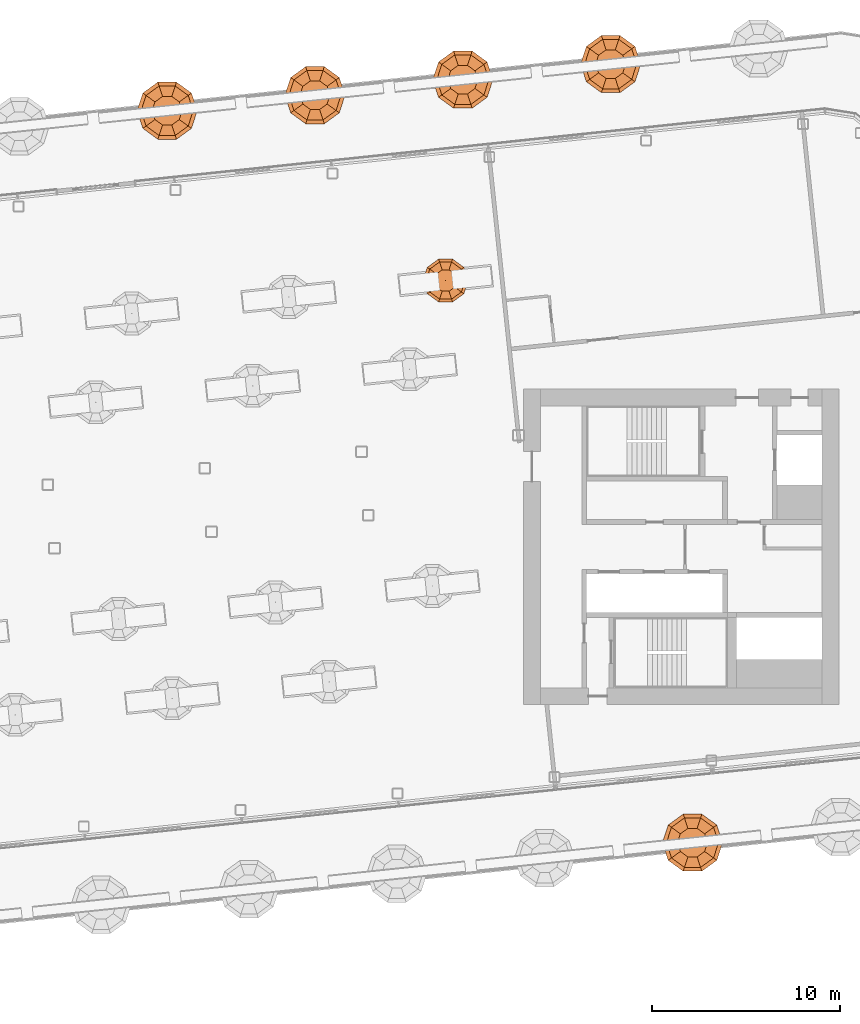
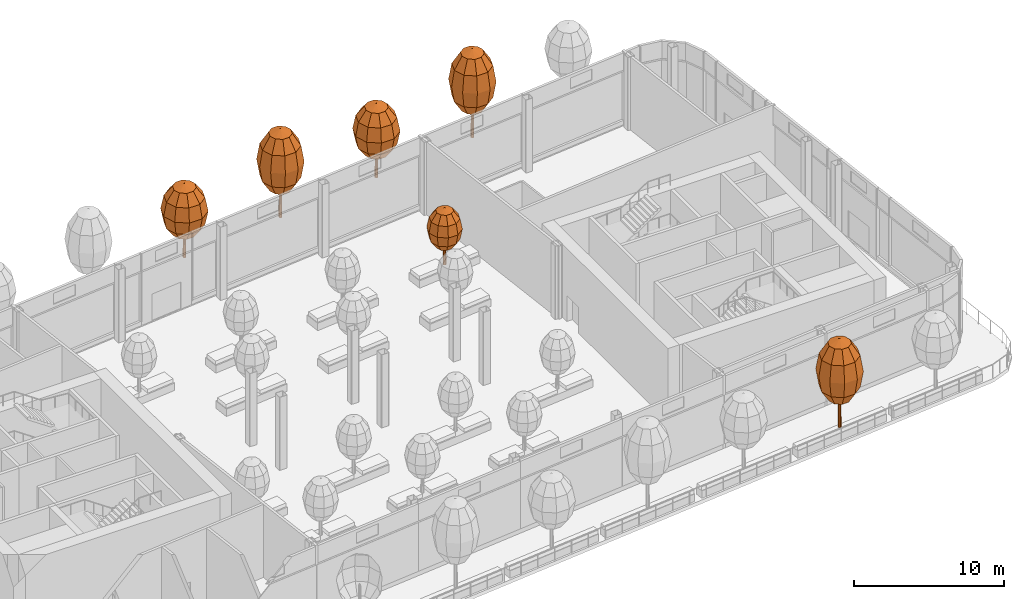
# One storey, part 41 of 42: 6 geographic elements.
"""IFC4 building model written with IfcOpenShell, lengths in metres."""

from ifc_helpers import new_model, si_unit, direction, frame, origin, place, context, subcontext, project, spatial, triangles, material, type_object, element, save


model = new_model("IFC4")

# Units and contexts
model_context = context("Model", 3, precision=1e-05, world=origin(), true_north=direction((0.0, 1.0)))
body_context = subcontext(model_context, "Body", "Model", "MODEL_VIEW")
ifc_project = project(units=[si_unit("LENGTHUNIT", "METRE"), si_unit("AREAUNIT", "SQUARE_METRE"), si_unit("VOLUMEUNIT", "CUBIC_METRE"), si_unit("PLANEANGLEUNIT", "RADIAN"), si_unit("MASSUNIT", "GRAM", prefix="KILO")], contexts=[model_context])

# Site, building, storey
site_placement = place(None, origin())
site = spatial("IfcSite", under=ifc_project, at=site_placement, CompositionType="ELEMENT")
building_placement = place(site_placement, origin())
building = spatial("IfcBuilding", under=site, at=building_placement, Name="Hakoniwa Tower and Hamabe Station Hall", CompositionType="ELEMENT")
storey_placement = place(building_placement, frame((0.0, 0.0, 232.60009765625)))
storey = spatial("IfcBuildingStorey", under=building, at=storey_placement, Name="L66", CompositionType="ELEMENT", Elevation=232.60009765625)

# Geographic elements
ifc_material_1 = material(Name="Tree foliage")
geographic_element_type_1 = type_object("IfcGeographicElementType", Name="Camellia 4.6 m", PredefinedType="USERDEFINED", material=ifc_material_1)
geographic_element_1_placement = place(storey_placement, frame((12.647705078125, 14.18603515625, 0.599853515625)))
element("IfcGeographicElement", 1, at=geographic_element_1_placement, inside=storey, type_object=geographic_element_type_1, Name="Camellia 4-6 m", ObjectType="TREE", PredefinedType="USERDEFINED", context=body_context, shape_type="Tessellation", body=[
    triangles([(0.125, 0.0, 0.0), (0.08837890625, 0.08837890625, 0.0), (0.0, 0.125, 0.0), (-0.08837890625, 0.08837890625, 0.0), (-0.125, 0.0, 0.0), (-0.08837890625, -0.08837890625, 0.0), (0.0, -0.125, 0.0), (0.08837890625, -0.08837890625, 0.0), (0.074951171875, 0.0, 2.778564453125), (0.052978515625, 0.052978515625, 2.778564453125), (0.0, 0.074951171875, 2.778564453125), (-0.052978515625, 0.052978515625, 2.778564453125), (-0.074951171875, 0.0, 2.778564453125), (-0.052978515625, -0.052978515625, 2.778564453125), (0.0, -0.074951171875, 2.778564453125), (0.052978515625, -0.052978515625, 2.778564453125), (0.0, 0.0, 0.0), (0.0, 0.0, 2.778564453125)], [[1, 2, 10], [1, 10, 9], [17, 2, 1], [18, 9, 10], [2, 3, 11], [2, 11, 10], [17, 3, 2], [18, 10, 11], [3, 4, 12], [3, 12, 11], [17, 4, 3], [18, 11, 12], [4, 5, 13], [4, 13, 12], [17, 5, 4], [18, 12, 13], [5, 6, 14], [5, 14, 13], [17, 6, 5], [18, 13, 14], [6, 7, 15], [6, 15, 14], [17, 7, 6], [18, 14, 15], [7, 8, 16], [7, 16, 15], [17, 8, 7], [18, 15, 16], [8, 1, 9], [8, 9, 16], [17, 1, 8], [18, 16, 9]], closed=True),
    triangles([(0.0, 0.0, 1.2880859375), (0.599853515625, 0.0, 1.510009765625), (0.4853515625, 0.3525390625, 1.510009765625), (0.185302734375, 0.570556640625, 1.510009765625), (-0.185302734375, 0.570556640625, 1.510009765625), (-0.4853515625, 0.3525390625, 1.510009765625), (-0.599853515625, 0.0, 1.510009765625), (-0.4853515625, -0.3525390625, 1.510009765625), (-0.185302734375, -0.570556640625, 1.510009765625), (0.185302734375, -0.570556640625, 1.510009765625), (0.4853515625, -0.3525390625, 1.510009765625), (1.039306640625, 0.0, 2.115966796875), (0.8408203125, 0.61083984375, 2.115966796875), (0.321044921875, 0.98828125, 2.115966796875), (-0.321044921875, 0.98828125, 2.115966796875), (-0.8408203125, 0.61083984375, 2.115966796875), (-1.039306640625, 0.0, 2.115966796875), (-0.8408203125, -0.61083984375, 2.115966796875), (-0.321044921875, -0.98828125, 2.115966796875), (0.321044921875, -0.98828125, 2.115966796875), (0.8408203125, -0.61083984375, 2.115966796875), (1.199951171875, 0.0, 2.944091796875), (0.970703125, 0.705322265625, 2.944091796875), (0.370849609375, 1.14111328125, 2.944091796875), (-0.370849609375, 1.14111328125, 2.944091796875), (-0.970703125, 0.705322265625, 2.944091796875), (-1.199951171875, 0.0, 2.944091796875), (-0.970703125, -0.705322265625, 2.944091796875), (-0.370849609375, -1.14111328125, 2.944091796875), (0.370849609375, -1.14111328125, 2.944091796875), (0.970703125, -0.705322265625, 2.944091796875), (1.039306640625, 0.0, 3.77197265625), (0.8408203125, 0.61083984375, 3.77197265625), (0.321044921875, 0.98828125, 3.77197265625), (-0.321044921875, 0.98828125, 3.77197265625), (-0.8408203125, 0.61083984375, 3.77197265625), (-1.039306640625, 0.0, 3.77197265625), (-0.8408203125, -0.61083984375, 3.77197265625), (-0.321044921875, -0.98828125, 3.77197265625), (0.321044921875, -0.98828125, 3.77197265625), (0.8408203125, -0.61083984375, 3.77197265625), (0.599853515625, 0.0, 4.378173828125), (0.4853515625, 0.3525390625, 4.378173828125), (0.185302734375, 0.570556640625, 4.378173828125), (-0.185302734375, 0.570556640625, 4.378173828125), (-0.4853515625, 0.3525390625, 4.378173828125), (-0.599853515625, 0.0, 4.378173828125), (-0.4853515625, -0.3525390625, 4.378173828125), (-0.185302734375, -0.570556640625, 4.378173828125), (0.185302734375, -0.570556640625, 4.378173828125), (0.4853515625, -0.3525390625, 4.378173828125), (0.0, 0.0, 4.60009765625)], [[1, 3, 2], [1, 4, 3], [1, 5, 4], [1, 6, 5], [1, 7, 6], [1, 8, 7], [1, 9, 8], [1, 10, 9], [1, 11, 10], [1, 2, 11], [2, 3, 13], [2, 13, 12], [3, 4, 14], [3, 14, 13], [4, 5, 15], [4, 15, 14], [5, 6, 16], [5, 16, 15], [6, 7, 17], [6, 17, 16], [7, 8, 18], [7, 18, 17], [8, 9, 19], [8, 19, 18], [9, 10, 20], [9, 20, 19], [10, 11, 21], [10, 21, 20], [11, 2, 12], [11, 12, 21], [12, 13, 23], [12, 23, 22], [13, 14, 24], [13, 24, 23], [14, 15, 25], [14, 25, 24], [15, 16, 26], [15, 26, 25], [16, 17, 27], [16, 27, 26], [17, 18, 28], [17, 28, 27], [18, 19, 29], [18, 29, 28], [19, 20, 30], [19, 30, 29], [20, 21, 31], [20, 31, 30], [21, 12, 22], [21, 22, 31], [22, 23, 33], [22, 33, 32], [23, 24, 34], [23, 34, 33], [24, 25, 35], [24, 35, 34], [25, 26, 36], [25, 36, 35], [26, 27, 37], [26, 37, 36], [27, 28, 38], [27, 38, 37], [28, 29, 39], [28, 39, 38], [29, 30, 40], [29, 40, 39], [30, 31, 41], [30, 41, 40], [31, 22, 32], [31, 32, 41], [32, 33, 43], [32, 43, 42], [33, 34, 44], [33, 44, 43], [34, 35, 45], [34, 45, 44], [35, 36, 46], [35, 46, 45], [36, 37, 47], [36, 47, 46], [37, 38, 48], [37, 48, 47], [38, 39, 49], [38, 49, 48], [39, 40, 50], [39, 50, 49], [40, 41, 51], [40, 51, 50], [41, 32, 42], [41, 42, 51], [52, 42, 43], [52, 43, 44], [52, 44, 45], [52, 45, 46], [52, 46, 47], [52, 47, 48], [52, 48, 49], [52, 49, 50], [52, 50, 51], [52, 51, 42]], closed=True),
])
ifc_material_2 = material(Name="Tree foliage")
geographic_element_type_2 = type_object("IfcGeographicElementType", Name="Japanese maple 7.2 m", PredefinedType="USERDEFINED", material=ifc_material_2)
geographic_element_2_placement = place(storey_placement, frame((21.439208984375, 25.70947265625, 0.89990234375)))
element("IfcGeographicElement", 2, at=geographic_element_2_placement, inside=storey, type_object=geographic_element_type_2, Name="Japanese maple 7-2 m", ObjectType="TREE", PredefinedType="USERDEFINED", context=body_context, shape_type="Tessellation", body=[
    triangles([(0.125, 0.0, 0.0), (0.08837890625, 0.08837890625, 0.0), (0.0, 0.125, 0.0), (-0.08837890625, 0.08837890625, 0.0), (-0.125, 0.0, 0.0), (-0.08837890625, -0.08837890625, 0.0), (0.0, -0.125, 0.0), (0.08837890625, -0.08837890625, 0.0), (0.074951171875, 0.0, 4.348876953125), (0.052978515625, 0.052978515625, 4.348876953125), (0.0, 0.074951171875, 4.348876953125), (-0.052978515625, 0.052978515625, 4.348876953125), (-0.074951171875, 0.0, 4.348876953125), (-0.052978515625, -0.052978515625, 4.348876953125), (0.0, -0.074951171875, 4.348876953125), (0.052978515625, -0.052978515625, 4.348876953125), (0.0, 0.0, 0.0), (0.0, 0.0, 4.348876953125)], [[1, 2, 10], [1, 10, 9], [17, 2, 1], [18, 9, 10], [2, 3, 11], [2, 11, 10], [17, 3, 2], [18, 10, 11], [3, 4, 12], [3, 12, 11], [17, 4, 3], [18, 11, 12], [4, 5, 13], [4, 13, 12], [17, 5, 4], [18, 12, 13], [5, 6, 14], [5, 14, 13], [17, 6, 5], [18, 13, 14], [6, 7, 15], [6, 15, 14], [17, 7, 6], [18, 14, 15], [7, 8, 16], [7, 16, 15], [17, 8, 7], [18, 15, 16], [8, 1, 9], [8, 9, 16], [17, 1, 8], [18, 16, 9]], closed=True),
    triangles([(0.0, 0.0, 2.015869140625), (0.800048828125, 0.0, 2.36328125), (0.647216796875, 0.47021484375, 2.36328125), (0.247314453125, 0.7607421875, 2.36328125), (-0.247314453125, 0.7607421875, 2.36328125), (-0.647216796875, 0.47021484375, 2.36328125), (-0.800048828125, 0.0, 2.36328125), (-0.647216796875, -0.47021484375, 2.36328125), (-0.247314453125, -0.7607421875, 2.36328125), (0.247314453125, -0.7607421875, 2.36328125), (0.647216796875, -0.47021484375, 2.36328125), (1.385498046875, 0.0, 3.31201171875), (1.12109375, 0.814453125, 3.31201171875), (0.42822265625, 1.31787109375, 3.31201171875), (-0.42822265625, 1.31787109375, 3.31201171875), (-1.12109375, 0.814453125, 3.31201171875), (-1.385498046875, 0.0, 3.31201171875), (-1.12109375, -0.814453125, 3.31201171875), (-0.42822265625, -1.31787109375, 3.31201171875), (0.42822265625, -1.31787109375, 3.31201171875), (1.12109375, -0.814453125, 3.31201171875), (1.60009765625, 0.0, 4.60791015625), (1.29443359375, 0.9404296875, 4.60791015625), (0.494384765625, 1.521728515625, 4.60791015625), (-0.494384765625, 1.521728515625, 4.60791015625), (-1.29443359375, 0.9404296875, 4.60791015625), (-1.60009765625, 0.0, 4.60791015625), (-1.29443359375, -0.9404296875, 4.60791015625), (-0.494384765625, -1.521728515625, 4.60791015625), (0.494384765625, -1.521728515625, 4.60791015625), (1.29443359375, -0.9404296875, 4.60791015625), (1.385498046875, 0.0, 5.904052734375), (1.12109375, 0.814453125, 5.904052734375), (0.42822265625, 1.31787109375, 5.904052734375), (-0.42822265625, 1.31787109375, 5.904052734375), (-1.12109375, 0.814453125, 5.904052734375), (-1.385498046875, 0.0, 5.904052734375), (-1.12109375, -0.814453125, 5.904052734375), (-0.42822265625, -1.31787109375, 5.904052734375), (0.42822265625, -1.31787109375, 5.904052734375), (1.12109375, -0.814453125, 5.904052734375), (0.800048828125, 0.0, 6.852783203125), (0.647216796875, 0.47021484375, 6.852783203125), (0.247314453125, 0.7607421875, 6.852783203125), (-0.247314453125, 0.7607421875, 6.852783203125), (-0.647216796875, 0.47021484375, 6.852783203125), (-0.800048828125, 0.0, 6.852783203125), (-0.647216796875, -0.47021484375, 6.852783203125), (-0.247314453125, -0.7607421875, 6.852783203125), (0.247314453125, -0.7607421875, 6.852783203125), (0.647216796875, -0.47021484375, 6.852783203125), (0.0, 0.0, 7.199951171875)], [[1, 3, 2], [1, 4, 3], [1, 5, 4], [1, 6, 5], [1, 7, 6], [1, 8, 7], [1, 9, 8], [1, 10, 9], [1, 11, 10], [1, 2, 11], [2, 3, 13], [2, 13, 12], [3, 4, 14], [3, 14, 13], [4, 5, 15], [4, 15, 14], [5, 6, 16], [5, 16, 15], [6, 7, 17], [6, 17, 16], [7, 8, 18], [7, 18, 17], [8, 9, 19], [8, 19, 18], [9, 10, 20], [9, 20, 19], [10, 11, 21], [10, 21, 20], [11, 2, 12], [11, 12, 21], [12, 13, 23], [12, 23, 22], [13, 14, 24], [13, 24, 23], [14, 15, 25], [14, 25, 24], [15, 16, 26], [15, 26, 25], [16, 17, 27], [16, 27, 26], [17, 18, 28], [17, 28, 27], [18, 19, 29], [18, 29, 28], [19, 20, 30], [19, 30, 29], [20, 21, 31], [20, 31, 30], [21, 12, 22], [21, 22, 31], [22, 23, 33], [22, 33, 32], [23, 24, 34], [23, 34, 33], [24, 25, 35], [24, 35, 34], [25, 26, 36], [25, 36, 35], [26, 27, 37], [26, 37, 36], [27, 28, 38], [27, 38, 37], [28, 29, 39], [28, 39, 38], [29, 30, 40], [29, 40, 39], [30, 31, 41], [30, 41, 40], [31, 22, 32], [31, 32, 41], [32, 33, 43], [32, 43, 42], [33, 34, 44], [33, 44, 43], [34, 35, 45], [34, 45, 44], [35, 36, 46], [35, 46, 45], [36, 37, 47], [36, 47, 46], [37, 38, 48], [37, 48, 47], [38, 39, 49], [38, 49, 48], [39, 40, 50], [39, 50, 49], [40, 41, 51], [40, 51, 50], [41, 32, 42], [41, 42, 51], [52, 42, 43], [52, 43, 44], [52, 44, 45], [52, 45, 46], [52, 46, 47], [52, 47, 48], [52, 48, 49], [52, 49, 50], [52, 50, 51], [52, 51, 42]], closed=True),
])
geographic_element_3_placement = place(storey_placement, frame((5.694091796875, 24.0546875, 0.89990234375)))
element("IfcGeographicElement", 3, at=geographic_element_3_placement, inside=storey, type_object=geographic_element_type_2, Name="Japanese maple 7-2 m", ObjectType="TREE", PredefinedType="USERDEFINED", context=body_context, shape_type="Tessellation", body=[
    triangles([(0.125, 0.0, 0.0), (0.08837890625, 0.08837890625, 0.0), (0.0, 0.125, 0.0), (-0.08837890625, 0.08837890625, 0.0), (-0.125, 0.0, 0.0), (-0.08837890625, -0.08837890625, 0.0), (0.0, -0.125, 0.0), (0.08837890625, -0.08837890625, 0.0), (0.074951171875, 0.0, 4.348876953125), (0.052978515625, 0.052978515625, 4.348876953125), (0.0, 0.074951171875, 4.348876953125), (-0.052978515625, 0.052978515625, 4.348876953125), (-0.074951171875, 0.0, 4.348876953125), (-0.052978515625, -0.052978515625, 4.348876953125), (0.0, -0.074951171875, 4.348876953125), (0.052978515625, -0.052978515625, 4.348876953125), (0.0, 0.0, 0.0), (0.0, 0.0, 4.348876953125)], [[1, 2, 10], [1, 10, 9], [17, 2, 1], [18, 9, 10], [2, 3, 11], [2, 11, 10], [17, 3, 2], [18, 10, 11], [3, 4, 12], [3, 12, 11], [17, 4, 3], [18, 11, 12], [4, 5, 13], [4, 13, 12], [17, 5, 4], [18, 12, 13], [5, 6, 14], [5, 14, 13], [17, 6, 5], [18, 13, 14], [6, 7, 15], [6, 15, 14], [17, 7, 6], [18, 14, 15], [7, 8, 16], [7, 16, 15], [17, 8, 7], [18, 15, 16], [8, 1, 9], [8, 9, 16], [17, 1, 8], [18, 16, 9]], closed=True),
    triangles([(0.0, 0.0, 2.015869140625), (0.800048828125, 0.0, 2.36328125), (0.647216796875, 0.47021484375, 2.36328125), (0.247314453125, 0.7607421875, 2.36328125), (-0.247314453125, 0.7607421875, 2.36328125), (-0.647216796875, 0.47021484375, 2.36328125), (-0.800048828125, 0.0, 2.36328125), (-0.647216796875, -0.47021484375, 2.36328125), (-0.247314453125, -0.7607421875, 2.36328125), (0.247314453125, -0.7607421875, 2.36328125), (0.647216796875, -0.47021484375, 2.36328125), (1.385498046875, 0.0, 3.31201171875), (1.12109375, 0.814453125, 3.31201171875), (0.42822265625, 1.31787109375, 3.31201171875), (-0.42822265625, 1.31787109375, 3.31201171875), (-1.12109375, 0.814453125, 3.31201171875), (-1.385498046875, 0.0, 3.31201171875), (-1.12109375, -0.814453125, 3.31201171875), (-0.42822265625, -1.31787109375, 3.31201171875), (0.42822265625, -1.31787109375, 3.31201171875), (1.12109375, -0.814453125, 3.31201171875), (1.60009765625, 0.0, 4.60791015625), (1.29443359375, 0.9404296875, 4.60791015625), (0.494384765625, 1.521728515625, 4.60791015625), (-0.494384765625, 1.521728515625, 4.60791015625), (-1.29443359375, 0.9404296875, 4.60791015625), (-1.60009765625, 0.0, 4.60791015625), (-1.29443359375, -0.9404296875, 4.60791015625), (-0.494384765625, -1.521728515625, 4.60791015625), (0.494384765625, -1.521728515625, 4.60791015625), (1.29443359375, -0.9404296875, 4.60791015625), (1.385498046875, 0.0, 5.904052734375), (1.12109375, 0.814453125, 5.904052734375), (0.42822265625, 1.31787109375, 5.904052734375), (-0.42822265625, 1.31787109375, 5.904052734375), (-1.12109375, 0.814453125, 5.904052734375), (-1.385498046875, 0.0, 5.904052734375), (-1.12109375, -0.814453125, 5.904052734375), (-0.42822265625, -1.31787109375, 5.904052734375), (0.42822265625, -1.31787109375, 5.904052734375), (1.12109375, -0.814453125, 5.904052734375), (0.800048828125, 0.0, 6.852783203125), (0.647216796875, 0.47021484375, 6.852783203125), (0.247314453125, 0.7607421875, 6.852783203125), (-0.247314453125, 0.7607421875, 6.852783203125), (-0.647216796875, 0.47021484375, 6.852783203125), (-0.800048828125, 0.0, 6.852783203125), (-0.647216796875, -0.47021484375, 6.852783203125), (-0.247314453125, -0.7607421875, 6.852783203125), (0.247314453125, -0.7607421875, 6.852783203125), (0.647216796875, -0.47021484375, 6.852783203125), (0.0, 0.0, 7.199951171875)], [[1, 3, 2], [1, 4, 3], [1, 5, 4], [1, 6, 5], [1, 7, 6], [1, 8, 7], [1, 9, 8], [1, 10, 9], [1, 11, 10], [1, 2, 11], [2, 3, 13], [2, 13, 12], [3, 4, 14], [3, 14, 13], [4, 5, 15], [4, 15, 14], [5, 6, 16], [5, 16, 15], [6, 7, 17], [6, 17, 16], [7, 8, 18], [7, 18, 17], [8, 9, 19], [8, 19, 18], [9, 10, 20], [9, 20, 19], [10, 11, 21], [10, 21, 20], [11, 2, 12], [11, 12, 21], [12, 13, 23], [12, 23, 22], [13, 14, 24], [13, 24, 23], [14, 15, 25], [14, 25, 24], [15, 16, 26], [15, 26, 25], [16, 17, 27], [16, 27, 26], [17, 18, 28], [17, 28, 27], [18, 19, 29], [18, 29, 28], [19, 20, 30], [19, 30, 29], [20, 21, 31], [20, 31, 30], [21, 12, 22], [21, 22, 31], [22, 23, 33], [22, 33, 32], [23, 24, 34], [23, 34, 33], [24, 25, 35], [24, 35, 34], [25, 26, 36], [25, 36, 35], [26, 27, 37], [26, 37, 36], [27, 28, 38], [27, 38, 37], [28, 29, 39], [28, 39, 38], [29, 30, 40], [29, 40, 39], [30, 31, 41], [30, 41, 40], [31, 22, 32], [31, 32, 41], [32, 33, 43], [32, 43, 42], [33, 34, 44], [33, 44, 43], [34, 35, 45], [34, 45, 44], [35, 36, 46], [35, 46, 45], [36, 37, 47], [36, 47, 46], [37, 38, 48], [37, 48, 47], [38, 39, 49], [38, 49, 48], [39, 40, 50], [39, 50, 49], [40, 41, 51], [40, 51, 50], [41, 32, 42], [41, 42, 51], [52, 42, 43], [52, 43, 44], [52, 44, 45], [52, 45, 46], [52, 46, 47], [52, 47, 48], [52, 48, 49], [52, 49, 50], [52, 50, 51], [52, 51, 42]], closed=True),
])
geographic_element_4_placement = place(storey_placement, frame((25.796142578125, -15.744873046875, 0.89990234375)))
element("IfcGeographicElement", 4, at=geographic_element_4_placement, inside=storey, type_object=geographic_element_type_2, Name="Japanese maple 7-2 m", ObjectType="TREE", PredefinedType="USERDEFINED", context=body_context, shape_type="Tessellation", body=[
    triangles([(0.125, 0.0, 0.0), (0.08837890625, 0.08837890625, 0.0), (0.0, 0.125, 0.0), (-0.08837890625, 0.08837890625, 0.0), (-0.125, 0.0, 0.0), (-0.08837890625, -0.08837890625, 0.0), (0.0, -0.125, 0.0), (0.08837890625, -0.08837890625, 0.0), (0.074951171875, 0.0, 4.348876953125), (0.052978515625, 0.052978515625, 4.348876953125), (0.0, 0.074951171875, 4.348876953125), (-0.052978515625, 0.052978515625, 4.348876953125), (-0.074951171875, 0.0, 4.348876953125), (-0.052978515625, -0.052978515625, 4.348876953125), (0.0, -0.074951171875, 4.348876953125), (0.052978515625, -0.052978515625, 4.348876953125), (0.0, 0.0, 0.0), (0.0, 0.0, 4.348876953125)], [[1, 2, 10], [1, 10, 9], [17, 2, 1], [18, 9, 10], [2, 3, 11], [2, 11, 10], [17, 3, 2], [18, 10, 11], [3, 4, 12], [3, 12, 11], [17, 4, 3], [18, 11, 12], [4, 5, 13], [4, 13, 12], [17, 5, 4], [18, 12, 13], [5, 6, 14], [5, 14, 13], [17, 6, 5], [18, 13, 14], [6, 7, 15], [6, 15, 14], [17, 7, 6], [18, 14, 15], [7, 8, 16], [7, 16, 15], [17, 8, 7], [18, 15, 16], [8, 1, 9], [8, 9, 16], [17, 1, 8], [18, 16, 9]], closed=True),
    triangles([(0.0, 0.0, 2.015869140625), (0.800048828125, 0.0, 2.36328125), (0.647216796875, 0.47021484375, 2.36328125), (0.247314453125, 0.7607421875, 2.36328125), (-0.247314453125, 0.7607421875, 2.36328125), (-0.647216796875, 0.47021484375, 2.36328125), (-0.800048828125, 0.0, 2.36328125), (-0.647216796875, -0.47021484375, 2.36328125), (-0.247314453125, -0.7607421875, 2.36328125), (0.247314453125, -0.7607421875, 2.36328125), (0.647216796875, -0.47021484375, 2.36328125), (1.385498046875, 0.0, 3.31201171875), (1.12109375, 0.814453125, 3.31201171875), (0.42822265625, 1.31787109375, 3.31201171875), (-0.42822265625, 1.31787109375, 3.31201171875), (-1.12109375, 0.814453125, 3.31201171875), (-1.385498046875, 0.0, 3.31201171875), (-1.12109375, -0.814453125, 3.31201171875), (-0.42822265625, -1.31787109375, 3.31201171875), (0.42822265625, -1.31787109375, 3.31201171875), (1.12109375, -0.814453125, 3.31201171875), (1.60009765625, 0.0, 4.60791015625), (1.29443359375, 0.9404296875, 4.60791015625), (0.494384765625, 1.521728515625, 4.60791015625), (-0.494384765625, 1.521728515625, 4.60791015625), (-1.29443359375, 0.9404296875, 4.60791015625), (-1.60009765625, 0.0, 4.60791015625), (-1.29443359375, -0.9404296875, 4.60791015625), (-0.494384765625, -1.521728515625, 4.60791015625), (0.494384765625, -1.521728515625, 4.60791015625), (1.29443359375, -0.9404296875, 4.60791015625), (1.385498046875, 0.0, 5.904052734375), (1.12109375, 0.814453125, 5.904052734375), (0.42822265625, 1.31787109375, 5.904052734375), (-0.42822265625, 1.31787109375, 5.904052734375), (-1.12109375, 0.814453125, 5.904052734375), (-1.385498046875, 0.0, 5.904052734375), (-1.12109375, -0.814453125, 5.904052734375), (-0.42822265625, -1.31787109375, 5.904052734375), (0.42822265625, -1.31787109375, 5.904052734375), (1.12109375, -0.814453125, 5.904052734375), (0.800048828125, 0.0, 6.852783203125), (0.647216796875, 0.47021484375, 6.852783203125), (0.247314453125, 0.7607421875, 6.852783203125), (-0.247314453125, 0.7607421875, 6.852783203125), (-0.647216796875, 0.47021484375, 6.852783203125), (-0.800048828125, 0.0, 6.852783203125), (-0.647216796875, -0.47021484375, 6.852783203125), (-0.247314453125, -0.7607421875, 6.852783203125), (0.247314453125, -0.7607421875, 6.852783203125), (0.647216796875, -0.47021484375, 6.852783203125), (0.0, 0.0, 7.199951171875)], [[1, 3, 2], [1, 4, 3], [1, 5, 4], [1, 6, 5], [1, 7, 6], [1, 8, 7], [1, 9, 8], [1, 10, 9], [1, 11, 10], [1, 2, 11], [2, 3, 13], [2, 13, 12], [3, 4, 14], [3, 14, 13], [4, 5, 15], [4, 15, 14], [5, 6, 16], [5, 16, 15], [6, 7, 17], [6, 17, 16], [7, 8, 18], [7, 18, 17], [8, 9, 19], [8, 19, 18], [9, 10, 20], [9, 20, 19], [10, 11, 21], [10, 21, 20], [11, 2, 12], [11, 12, 21], [12, 13, 23], [12, 23, 22], [13, 14, 24], [13, 24, 23], [14, 15, 25], [14, 25, 24], [15, 16, 26], [15, 26, 25], [16, 17, 27], [16, 27, 26], [17, 18, 28], [17, 28, 27], [18, 19, 29], [18, 29, 28], [19, 20, 30], [19, 30, 29], [20, 21, 31], [20, 31, 30], [21, 12, 22], [21, 22, 31], [22, 23, 33], [22, 33, 32], [23, 24, 34], [23, 34, 33], [24, 25, 35], [24, 35, 34], [25, 26, 36], [25, 36, 35], [26, 27, 37], [26, 37, 36], [27, 28, 38], [27, 38, 37], [28, 29, 39], [28, 39, 38], [29, 30, 40], [29, 40, 39], [30, 31, 41], [30, 41, 40], [31, 22, 32], [31, 32, 41], [32, 33, 43], [32, 43, 42], [33, 34, 44], [33, 44, 43], [34, 35, 45], [34, 45, 44], [35, 36, 46], [35, 46, 45], [36, 37, 47], [36, 47, 46], [37, 38, 48], [37, 48, 47], [38, 39, 49], [38, 49, 48], [39, 40, 50], [39, 50, 49], [40, 41, 51], [40, 51, 50], [41, 32, 42], [41, 42, 51], [52, 42, 43], [52, 43, 44], [52, 44, 45], [52, 45, 46], [52, 46, 47], [52, 47, 48], [52, 48, 49], [52, 49, 50], [52, 50, 51], [52, 51, 42]], closed=True),
])
ifc_material_3 = material(Name="Tree foliage")
geographic_element_type_3 = type_object("IfcGeographicElementType", Name="Osmanthus 6.0 m", PredefinedType="USERDEFINED", material=ifc_material_3)
geographic_element_5_placement = place(storey_placement, frame((13.566650390625, 24.882080078125, 0.89990234375)))
element("IfcGeographicElement", 5, at=geographic_element_5_placement, inside=storey, type_object=geographic_element_type_3, Name="Osmanthus 6-0 m", ObjectType="TREE", PredefinedType="USERDEFINED", context=body_context, shape_type="Tessellation", body=[
    triangles([(0.125, 0.0, 0.0), (0.08837890625, 0.08837890625, 0.0), (0.0, 0.125, 0.0), (-0.08837890625, 0.08837890625, 0.0), (-0.125, 0.0, 0.0), (-0.08837890625, -0.08837890625, 0.0), (0.0, -0.125, 0.0), (0.08837890625, -0.08837890625, 0.0), (0.074951171875, 0.0, 3.6240234375), (0.052978515625, 0.052978515625, 3.6240234375), (0.0, 0.074951171875, 3.6240234375), (-0.052978515625, 0.052978515625, 3.6240234375), (-0.074951171875, 0.0, 3.6240234375), (-0.052978515625, -0.052978515625, 3.6240234375), (0.0, -0.074951171875, 3.6240234375), (0.052978515625, -0.052978515625, 3.6240234375), (0.0, 0.0, 0.0), (0.0, 0.0, 3.6240234375)], [[1, 2, 10], [1, 10, 9], [17, 2, 1], [18, 9, 10], [2, 3, 11], [2, 11, 10], [17, 3, 2], [18, 10, 11], [3, 4, 12], [3, 12, 11], [17, 4, 3], [18, 11, 12], [4, 5, 13], [4, 13, 12], [17, 5, 4], [18, 12, 13], [5, 6, 14], [5, 14, 13], [17, 6, 5], [18, 13, 14], [6, 7, 15], [6, 15, 14], [17, 7, 6], [18, 14, 15], [7, 8, 16], [7, 16, 15], [17, 8, 7], [18, 15, 16], [8, 1, 9], [8, 9, 16], [17, 1, 8], [18, 16, 9]], closed=True),
    triangles([(0.0, 0.0, 1.679931640625), (0.800048828125, 0.0, 1.969482421875), (0.647216796875, 0.47021484375, 1.969482421875), (0.247314453125, 0.7607421875, 1.969482421875), (-0.247314453125, 0.7607421875, 1.969482421875), (-0.647216796875, 0.47021484375, 1.969482421875), (-0.800048828125, 0.0, 1.969482421875), (-0.647216796875, -0.47021484375, 1.969482421875), (-0.247314453125, -0.7607421875, 1.969482421875), (0.247314453125, -0.7607421875, 1.969482421875), (0.647216796875, -0.47021484375, 1.969482421875), (1.385498046875, 0.0, 2.760009765625), (1.12109375, 0.814453125, 2.760009765625), (0.42822265625, 1.31787109375, 2.760009765625), (-0.42822265625, 1.31787109375, 2.760009765625), (-1.12109375, 0.814453125, 2.760009765625), (-1.385498046875, 0.0, 2.760009765625), (-1.12109375, -0.814453125, 2.760009765625), (-0.42822265625, -1.31787109375, 2.760009765625), (0.42822265625, -1.31787109375, 2.760009765625), (1.12109375, -0.814453125, 2.760009765625), (1.60009765625, 0.0, 3.840087890625), (1.29443359375, 0.9404296875, 3.840087890625), (0.494384765625, 1.521728515625, 3.840087890625), (-0.494384765625, 1.521728515625, 3.840087890625), (-1.29443359375, 0.9404296875, 3.840087890625), (-1.60009765625, 0.0, 3.840087890625), (-1.29443359375, -0.9404296875, 3.840087890625), (-0.494384765625, -1.521728515625, 3.840087890625), (0.494384765625, -1.521728515625, 3.840087890625), (1.29443359375, -0.9404296875, 3.840087890625), (1.385498046875, 0.0, 4.919921875), (1.12109375, 0.814453125, 4.919921875), (0.42822265625, 1.31787109375, 4.919921875), (-0.42822265625, 1.31787109375, 4.919921875), (-1.12109375, 0.814453125, 4.919921875), (-1.385498046875, 0.0, 4.919921875), (-1.12109375, -0.814453125, 4.919921875), (-0.42822265625, -1.31787109375, 4.919921875), (0.42822265625, -1.31787109375, 4.919921875), (1.12109375, -0.814453125, 4.919921875), (0.800048828125, 0.0, 5.710693359375), (0.647216796875, 0.47021484375, 5.710693359375), (0.247314453125, 0.7607421875, 5.710693359375), (-0.247314453125, 0.7607421875, 5.710693359375), (-0.647216796875, 0.47021484375, 5.710693359375), (-0.800048828125, 0.0, 5.710693359375), (-0.647216796875, -0.47021484375, 5.710693359375), (-0.247314453125, -0.7607421875, 5.710693359375), (0.247314453125, -0.7607421875, 5.710693359375), (0.647216796875, -0.47021484375, 5.710693359375), (0.0, 0.0, 6.0)], [[1, 3, 2], [1, 4, 3], [1, 5, 4], [1, 6, 5], [1, 7, 6], [1, 8, 7], [1, 9, 8], [1, 10, 9], [1, 11, 10], [1, 2, 11], [2, 3, 13], [2, 13, 12], [3, 4, 14], [3, 14, 13], [4, 5, 15], [4, 15, 14], [5, 6, 16], [5, 16, 15], [6, 7, 17], [6, 17, 16], [7, 8, 18], [7, 18, 17], [8, 9, 19], [8, 19, 18], [9, 10, 20], [9, 20, 19], [10, 11, 21], [10, 21, 20], [11, 2, 12], [11, 12, 21], [12, 13, 23], [12, 23, 22], [13, 14, 24], [13, 24, 23], [14, 15, 25], [14, 25, 24], [15, 16, 26], [15, 26, 25], [16, 17, 27], [16, 27, 26], [17, 18, 28], [17, 28, 27], [18, 19, 29], [18, 29, 28], [19, 20, 30], [19, 30, 29], [20, 21, 31], [20, 31, 30], [21, 12, 22], [21, 22, 31], [22, 23, 33], [22, 33, 32], [23, 24, 34], [23, 34, 33], [24, 25, 35], [24, 35, 34], [25, 26, 36], [25, 36, 35], [26, 27, 37], [26, 37, 36], [27, 28, 38], [27, 38, 37], [28, 29, 39], [28, 39, 38], [29, 30, 40], [29, 40, 39], [30, 31, 41], [30, 41, 40], [31, 22, 32], [31, 32, 41], [32, 33, 43], [32, 43, 42], [33, 34, 44], [33, 44, 43], [34, 35, 45], [34, 45, 44], [35, 36, 46], [35, 46, 45], [36, 37, 47], [36, 47, 46], [37, 38, 48], [37, 48, 47], [38, 39, 49], [38, 49, 48], [39, 40, 50], [39, 50, 49], [40, 41, 51], [40, 51, 50], [41, 32, 42], [41, 42, 51], [52, 42, 43], [52, 43, 44], [52, 44, 45], [52, 45, 46], [52, 46, 47], [52, 47, 48], [52, 48, 49], [52, 49, 50], [52, 50, 51], [52, 51, 42]], closed=True),
])
geographic_element_6_placement = place(storey_placement, frame((-2.178466796875, 23.227294921875, 0.89990234375)))
element("IfcGeographicElement", 6, at=geographic_element_6_placement, inside=storey, type_object=geographic_element_type_3, Name="Osmanthus 6-0 m", ObjectType="TREE", PredefinedType="USERDEFINED", context=body_context, shape_type="Tessellation", body=[
    triangles([(0.125, 0.0, 0.0), (0.08837890625, 0.08837890625, 0.0), (0.0, 0.125, 0.0), (-0.08837890625, 0.08837890625, 0.0), (-0.125, 0.0, 0.0), (-0.08837890625, -0.08837890625, 0.0), (0.0, -0.125, 0.0), (0.08837890625, -0.08837890625, 0.0), (0.074951171875, 0.0, 3.6240234375), (0.052978515625, 0.052978515625, 3.6240234375), (0.0, 0.074951171875, 3.6240234375), (-0.052978515625, 0.052978515625, 3.6240234375), (-0.074951171875, 0.0, 3.6240234375), (-0.052978515625, -0.052978515625, 3.6240234375), (0.0, -0.074951171875, 3.6240234375), (0.052978515625, -0.052978515625, 3.6240234375), (0.0, 0.0, 0.0), (0.0, 0.0, 3.6240234375)], [[1, 2, 10], [1, 10, 9], [17, 2, 1], [18, 9, 10], [2, 3, 11], [2, 11, 10], [17, 3, 2], [18, 10, 11], [3, 4, 12], [3, 12, 11], [17, 4, 3], [18, 11, 12], [4, 5, 13], [4, 13, 12], [17, 5, 4], [18, 12, 13], [5, 6, 14], [5, 14, 13], [17, 6, 5], [18, 13, 14], [6, 7, 15], [6, 15, 14], [17, 7, 6], [18, 14, 15], [7, 8, 16], [7, 16, 15], [17, 8, 7], [18, 15, 16], [8, 1, 9], [8, 9, 16], [17, 1, 8], [18, 16, 9]], closed=True),
    triangles([(0.0, 0.0, 1.679931640625), (0.800048828125, 0.0, 1.969482421875), (0.647216796875, 0.47021484375, 1.969482421875), (0.247314453125, 0.7607421875, 1.969482421875), (-0.247314453125, 0.7607421875, 1.969482421875), (-0.647216796875, 0.47021484375, 1.969482421875), (-0.800048828125, 0.0, 1.969482421875), (-0.647216796875, -0.47021484375, 1.969482421875), (-0.247314453125, -0.7607421875, 1.969482421875), (0.247314453125, -0.7607421875, 1.969482421875), (0.647216796875, -0.47021484375, 1.969482421875), (1.385498046875, 0.0, 2.760009765625), (1.12109375, 0.814453125, 2.760009765625), (0.42822265625, 1.31787109375, 2.760009765625), (-0.42822265625, 1.31787109375, 2.760009765625), (-1.12109375, 0.814453125, 2.760009765625), (-1.385498046875, 0.0, 2.760009765625), (-1.12109375, -0.814453125, 2.760009765625), (-0.42822265625, -1.31787109375, 2.760009765625), (0.42822265625, -1.31787109375, 2.760009765625), (1.12109375, -0.814453125, 2.760009765625), (1.60009765625, 0.0, 3.840087890625), (1.29443359375, 0.9404296875, 3.840087890625), (0.494384765625, 1.521728515625, 3.840087890625), (-0.494384765625, 1.521728515625, 3.840087890625), (-1.29443359375, 0.9404296875, 3.840087890625), (-1.60009765625, 0.0, 3.840087890625), (-1.29443359375, -0.9404296875, 3.840087890625), (-0.494384765625, -1.521728515625, 3.840087890625), (0.494384765625, -1.521728515625, 3.840087890625), (1.29443359375, -0.9404296875, 3.840087890625), (1.385498046875, 0.0, 4.919921875), (1.12109375, 0.814453125, 4.919921875), (0.42822265625, 1.31787109375, 4.919921875), (-0.42822265625, 1.31787109375, 4.919921875), (-1.12109375, 0.814453125, 4.919921875), (-1.385498046875, 0.0, 4.919921875), (-1.12109375, -0.814453125, 4.919921875), (-0.42822265625, -1.31787109375, 4.919921875), (0.42822265625, -1.31787109375, 4.919921875), (1.12109375, -0.814453125, 4.919921875), (0.800048828125, 0.0, 5.710693359375), (0.647216796875, 0.47021484375, 5.710693359375), (0.247314453125, 0.7607421875, 5.710693359375), (-0.247314453125, 0.7607421875, 5.710693359375), (-0.647216796875, 0.47021484375, 5.710693359375), (-0.800048828125, 0.0, 5.710693359375), (-0.647216796875, -0.47021484375, 5.710693359375), (-0.247314453125, -0.7607421875, 5.710693359375), (0.247314453125, -0.7607421875, 5.710693359375), (0.647216796875, -0.47021484375, 5.710693359375), (0.0, 0.0, 6.0)], [[1, 3, 2], [1, 4, 3], [1, 5, 4], [1, 6, 5], [1, 7, 6], [1, 8, 7], [1, 9, 8], [1, 10, 9], [1, 11, 10], [1, 2, 11], [2, 3, 13], [2, 13, 12], [3, 4, 14], [3, 14, 13], [4, 5, 15], [4, 15, 14], [5, 6, 16], [5, 16, 15], [6, 7, 17], [6, 17, 16], [7, 8, 18], [7, 18, 17], [8, 9, 19], [8, 19, 18], [9, 10, 20], [9, 20, 19], [10, 11, 21], [10, 21, 20], [11, 2, 12], [11, 12, 21], [12, 13, 23], [12, 23, 22], [13, 14, 24], [13, 24, 23], [14, 15, 25], [14, 25, 24], [15, 16, 26], [15, 26, 25], [16, 17, 27], [16, 27, 26], [17, 18, 28], [17, 28, 27], [18, 19, 29], [18, 29, 28], [19, 20, 30], [19, 30, 29], [20, 21, 31], [20, 31, 30], [21, 12, 22], [21, 22, 31], [22, 23, 33], [22, 33, 32], [23, 24, 34], [23, 34, 33], [24, 25, 35], [24, 35, 34], [25, 26, 36], [25, 36, 35], [26, 27, 37], [26, 37, 36], [27, 28, 38], [27, 38, 37], [28, 29, 39], [28, 39, 38], [29, 30, 40], [29, 40, 39], [30, 31, 41], [30, 41, 40], [31, 22, 32], [31, 32, 41], [32, 33, 43], [32, 43, 42], [33, 34, 44], [33, 44, 43], [34, 35, 45], [34, 45, 44], [35, 36, 46], [35, 46, 45], [36, 37, 47], [36, 47, 46], [37, 38, 48], [37, 48, 47], [38, 39, 49], [38, 49, 48], [39, 40, 50], [39, 50, 49], [40, 41, 51], [40, 51, 50], [41, 32, 42], [41, 42, 51], [52, 42, 43], [52, 43, 44], [52, 44, 45], [52, 45, 46], [52, 46, 47], [52, 47, 48], [52, 48, 49], [52, 49, 50], [52, 50, 51], [52, 51, 42]], closed=True),
])

save(model, "model.ifc")
